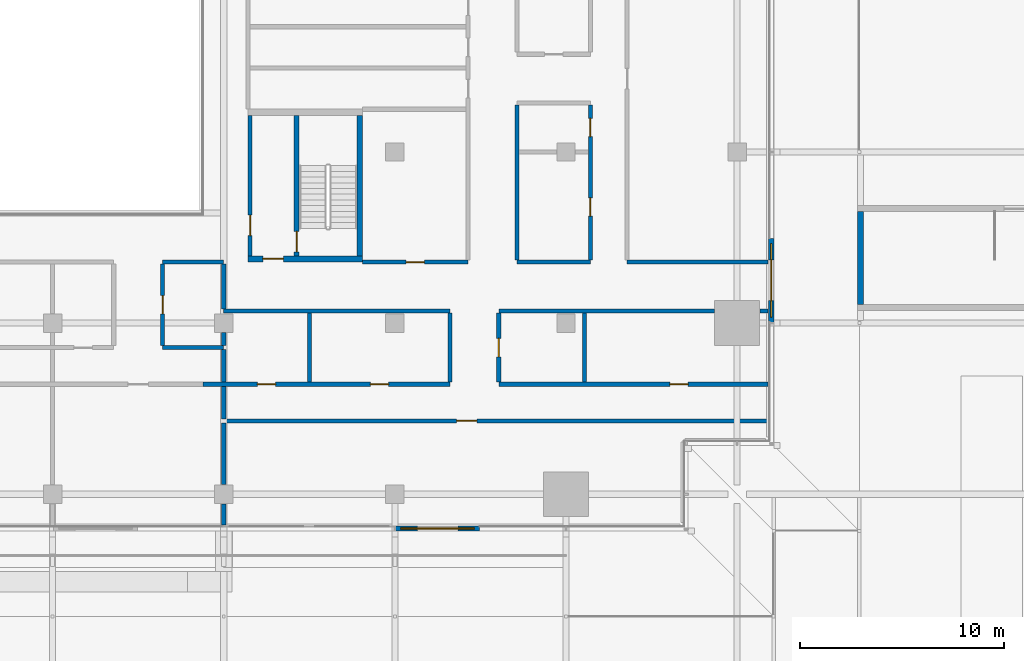
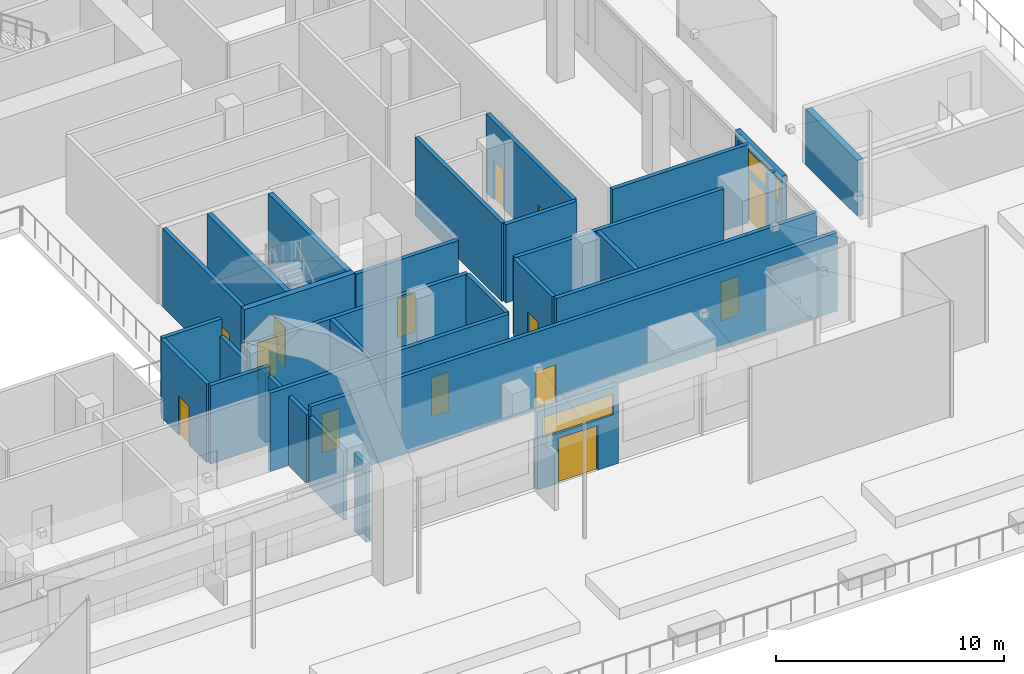
# One storey, part 26 of 60: 31 walls, 14 doors, 2 windows, 16 openings.
"""IFC4 building model written with IfcOpenShell, lengths in metres."""

from ifc_helpers import new_model, si_unit, direction, frame, frame_2d, origin, place, context, subcontext, project, spatial, rectangle, extrude, material, layer, layer_set, type_object, element, fill, save


model = new_model("IFC4")

# Units and contexts
model_context = context("Model", 3, precision=1e-05, world=origin(), true_north=direction((0.0, 1.0)))
body_context = subcontext(model_context, "Body", "Model", "MODEL_VIEW")
ifc_project = project(units=[si_unit("LENGTHUNIT", "METRE"), si_unit("AREAUNIT", "SQUARE_METRE"), si_unit("VOLUMEUNIT", "CUBIC_METRE"), si_unit("PLANEANGLEUNIT", "RADIAN"), si_unit("MASSUNIT", "GRAM", prefix="KILO")], contexts=[model_context])

# Site, building, storey
site_placement = place(None, origin())
site = spatial("IfcSite", under=ifc_project, at=site_placement, CompositionType="ELEMENT")
building_placement = place(site_placement, origin())
building = spatial("IfcBuilding", under=site, at=building_placement, Name="Saffron Gate Tower", CompositionType="ELEMENT")
storey_placement = place(building_placement, frame((0.0, 0.0, 19.199951171875)))
storey = spatial("IfcBuildingStorey", under=building, at=storey_placement, Name="L03", CompositionType="ELEMENT", Elevation=19.199951171875)

# Wall, opening, door
ifc_material_1 = material(Name="Gypsum board partition on steel studs", Category="steel")
ifc_layer_1 = layer(ifc_material_1, 0.199951171875)
ifc_layer_set_1 = layer_set([ifc_layer_1], Name="CW10 Core partition 200")
wall_type_1 = type_object("IfcWallType", Name="CW10 Core partition 200", PredefinedType="PARTITIONING", material=ifc_layer_set_1)
wall_1_placement = place(storey_placement, frame((101.5, 43.5, 0.0), z_axis=(0.0, 0.0, 1.0), x_axis=(0.0, 1.0, 0.0)))
wall_1 = element("IfcWall", 1, at=wall_1_placement, inside=storey, type_object=wall_type_1, Name="Wall CW10-L03-E-2", PredefinedType="PARTITIONING", context=body_context, shape_type="SweptSolid", body=[
    extrude(rectangle(XDim=6.89990234375, YDim=0.199951171875, at=frame_2d((3.449951171875, 0.0))), origin(), (0.0, 0.0, 1.0), 4.199951171875),
])
opening_1_placement = place(wall_1_placement, frame((1.0, 0.0, 0.0)))
opening_1 = element("IfcOpeningElement", 2, at=opening_1_placement, cuts=wall_1, Name="Opening CR-22", PredefinedType="OPENING", context=body_context, shape_type="SweptSolid", body=[
    extrude(rectangle(XDim=1.0, YDim=2.10009765625, at=frame_2d((0.5, 1.050048828125))), frame((0.0, 0.10986328125, 0.0), z_axis=(0.0, -1.0, 0.0), x_axis=(1.0, 0.0, 0.0)), (0.0, 0.0, 1.0), 0.219970703125),
])
ifc_material_2 = material(Name="Steel fire door set", Category="steel")
door_type_1 = type_object("IfcDoorType", Name="CD4 Lobby door 1000x2100 EI 120", OperationType="NOTDEFINED", PredefinedType="DOOR", material=ifc_material_2)
door_1_placement = place(opening_1_placement, origin())
door_1 = element("IfcDoor", 3, at=door_1_placement, inside=storey, type_object=door_type_1, Name="DOOR CR-22", OperationType="SINGLE_SWING_LEFT", OverallHeight=2.10009765625, OverallWidth=1.0, PredefinedType="DOOR", context=body_context, shape_type="SweptSolid", body=[
    extrude(rectangle(XDim=1.0, YDim=2.10009765625, at=frame_2d((0.5, 1.050048828125))), frame((0.0, 0.02490234375, 0.0), z_axis=(0.0, -1.0, 0.0), x_axis=(1.0, 0.0, 0.0)), (0.0, 0.0, 1.0), 0.050048828125),
])
fill(opening_1, door_1)

ifc_material_3 = material(Name="Concrete C70", Category="concrete")
ifc_layer_2 = layer(ifc_material_3, 0.25)
ifc_layer_set_2 = layer_set([ifc_layer_2], Name="CW2 RC core wall 250 C70")
wall_type_2 = type_object("IfcWallType", Name="CW2 RC core wall 250 C70", PredefinedType="SOLIDWALL", material=ifc_layer_set_2)
wall_2_placement = place(storey_placement, frame((103.77490234375, 43.5, 0.0), z_axis=(0.0, 0.0, 1.0), x_axis=(0.0, 1.0, 0.0)))
wall_2 = element("IfcWall", 4, at=wall_2_placement, inside=storey, type_object=wall_type_2, Name="Wall CW2-L03-E-3", PredefinedType="SOLIDWALL", context=body_context, shape_type="SweptSolid", body=[
    extrude(rectangle(XDim=6.89990234375, YDim=0.25, at=frame_2d((3.449951171875, 0.0))), origin(), (0.0, 0.0, 1.0), 4.199951171875),
])
opening_2_placement = place(wall_2_placement, frame((0.199951171875, 0.0, 0.0)))
opening_2 = element("IfcOpeningElement", 5, at=opening_2_placement, cuts=wall_2, Name="Opening CR-23", PredefinedType="OPENING", context=body_context, shape_type="SweptSolid", body=[
    extrude(rectangle(XDim=1.0, YDim=2.10009765625, at=frame_2d((0.5, 1.050048828125))), frame((0.0, 0.135009765625, 0.0), z_axis=(0.0, -1.0, 0.0), x_axis=(1.0, 0.0, 0.0)), (0.0, 0.0, 1.0), 0.27001953125),
])
door_type_2 = type_object("IfcDoorType", Name="CD5 Stair door 1000x2100 EI 120", OperationType="NOTDEFINED", PredefinedType="DOOR", material=ifc_material_2)
door_2_placement = place(opening_2_placement, origin())
door_2 = element("IfcDoor", 6, at=door_2_placement, inside=storey, type_object=door_type_2, Name="DOOR CR-23", OperationType="SINGLE_SWING_RIGHT", OverallHeight=2.10009765625, OverallWidth=1.0, PredefinedType="DOOR", context=body_context, shape_type="SweptSolid", body=[
    extrude(rectangle(XDim=1.0, YDim=2.10009765625, at=frame_2d((0.5, 1.050048828125))), frame((0.0, 0.02490234375, 0.0), z_axis=(0.0, -1.0, 0.0), x_axis=(1.0, 0.0, 0.0)), (0.0, 0.0, 1.0), 0.050048828125),
])
fill(opening_2, door_2)

# Wall
wall_3_placement = place(storey_placement, frame((106.875, 43.5, 0.0), z_axis=(0.0, 0.0, 1.0), x_axis=(0.0, 1.0, 0.0)))
element("IfcWall", 7, at=wall_3_placement, inside=storey, type_object=wall_type_2, Name="Wall CW2-L03-E-4", PredefinedType="SOLIDWALL", context=body_context, shape_type="SweptSolid", body=[
    extrude(rectangle(XDim=6.89990234375, YDim=0.25, at=frame_2d((3.449951171875, 0.0))), origin(), (0.0, 0.0, 1.0), 4.199951171875),
])

# Wall, opening, door
ifc_layer_3 = layer(ifc_material_3, 0.300048828125)
ifc_layer_set_3 = layer_set([ifc_layer_3], Name="CW5 RC core wall 300 C70")
wall_type_3 = type_object("IfcWallType", Name="CW5 RC core wall 300 C70", PredefinedType="SOLIDWALL", material=ifc_layer_set_3)
wall_4_placement = place(storey_placement, frame((101.39990234375, 43.35009765625, 0.0), z_axis=(0.0, 0.0, 1.0), x_axis=(1.0, 0.0, 0.0)))
wall_4 = element("IfcWall", 8, at=wall_4_placement, inside=storey, type_object=wall_type_3, Name="Wall CW5-L03-E-1", PredefinedType="SOLIDWALL", context=body_context, shape_type="SweptSolid", body=[
    extrude(rectangle(XDim=5.60009765625, YDim=0.300048828125, at=frame_2d((2.800048828125, 0.0))), origin(), (0.0, 0.0, 1.0), 4.199951171875),
])
opening_3_placement = place(wall_4_placement, frame((0.72509765625, 0.0, 0.0)))
opening_3 = element("IfcOpeningElement", 9, at=opening_3_placement, cuts=wall_4, Name="Opening CR-21", PredefinedType="OPENING", context=body_context, shape_type="SweptSolid", body=[
    extrude(rectangle(XDim=1.0, YDim=2.10009765625, at=frame_2d((0.5, 1.050048828125))), frame((0.0, 0.16015625, 0.0), z_axis=(0.0, -1.0, 0.0), x_axis=(1.0, 0.0, 0.0)), (0.0, 0.0, 1.0), 0.320068359375),
])
door_3_placement = place(opening_3_placement, origin())
door_3 = element("IfcDoor", 10, at=door_3_placement, inside=storey, type_object=door_type_1, Name="DOOR CR-21", OperationType="SINGLE_SWING_RIGHT", OverallHeight=2.10009765625, OverallWidth=1.0, PredefinedType="DOOR", context=body_context, shape_type="SweptSolid", body=[
    extrude(rectangle(XDim=1.0, YDim=2.10009765625, at=frame_2d((0.5, 1.050048828125))), frame((0.0, 0.02490234375, 0.0), z_axis=(0.0, -1.0, 0.0), x_axis=(1.0, 0.0, 0.0)), (0.0, 0.0, 1.0), 0.050048828125),
])
fill(opening_3, door_3)

# Wall
wall_5_placement = place(storey_placement, frame((131.449951171875, 41.125, 0.0), z_axis=(0.0, 0.0, 1.0), x_axis=(0.0, 1.0, 0.0)))
element("IfcWall", 11, at=wall_5_placement, inside=storey, type_object=wall_type_3, Name="Wall CW5-L03-K-2", PredefinedType="SOLIDWALL", context=body_context, shape_type="SweptSolid", body=[
    extrude(rectangle(XDim=4.550048828125, YDim=0.300048828125, at=frame_2d((2.27490234375, 0.0))), origin(), (0.0, 0.0, 1.0), 3.0),
])

# Wall, opening, door
ifc_material_4 = material(Name="Clay brick masonry, rendered", Category="masonry")
ifc_layer_4 = layer(ifc_material_4, 0.199951171875)
ifc_layer_set_4 = layer_set([ifc_layer_4], Name="PW3 Corridor wall 200")
wall_type_4 = type_object("IfcWallType", Name="PW3 Corridor wall 200", PredefinedType="PARTITIONING", material=ifc_layer_set_4)
wall_6_placement = place(storey_placement, frame((126.919921875, 35.39990234375, 0.0), z_axis=(0.0, 0.0, 1.0), x_axis=(-1.0, 0.0, 0.0)))
wall_6 = element("IfcWall", 12, at=wall_6_placement, inside=storey, type_object=wall_type_4, Name="Wall S1-2", PredefinedType="PARTITIONING", context=body_context, shape_type="SweptSolid", body=[
    extrude(rectangle(XDim=26.719970703125, YDim=0.199951171875, at=frame_2d((13.35986328125, 0.0))), origin(), (0.0, 0.0, 1.0), 4.199951171875),
])
opening_4_placement = place(wall_6_placement, frame((14.2890625, 0.0, 0.0)))
opening_4 = element("IfcOpeningElement", 13, at=opening_4_placement, cuts=wall_6, Name="Opening S1-36", PredefinedType="OPENING", context=body_context, shape_type="SweptSolid", body=[
    extrude(rectangle(XDim=1.0, YDim=2.10009765625, at=frame_2d((0.5, 1.050048828125))), frame((0.0, 0.10986328125, 0.0), z_axis=(0.0, -1.0, 0.0), x_axis=(1.0, 0.0, 0.0)), (0.0, 0.0, 1.0), 0.219970703125),
])
ifc_material_5 = material(Name="Timber door set", Category="wood")
door_type_3 = type_object("IfcDoorType", Name="HD1 Hall door 1200x2100", OperationType="NOTDEFINED", PredefinedType="DOOR", material=ifc_material_5)
door_4_placement = place(opening_4_placement, origin())
door_4 = element("IfcDoor", 14, at=door_4_placement, inside=storey, type_object=door_type_3, Name="Door S1-36", OperationType="SINGLE_SWING_RIGHT", OverallHeight=2.10009765625, OverallWidth=1.0, PredefinedType="DOOR", context=body_context, shape_type="SweptSolid", body=[
    extrude(rectangle(XDim=1.0, YDim=2.10009765625, at=frame_2d((0.5, 1.050048828125))), frame((0.0, 0.02490234375, 0.0), z_axis=(0.0, -1.0, 0.0), x_axis=(1.0, 0.0, 0.0)), (0.0, 0.0, 1.0), 0.050048828125),
])
fill(opening_4, door_4)

# Wall, openings, doors
wall_7_placement = place(storey_placement, frame((99.175048828125, 37.199951171875, 0.0), z_axis=(0.0, 0.0, 1.0), x_axis=(1.0, 0.0, 0.0)))
wall_7 = element("IfcWall", 15, at=wall_7_placement, inside=storey, type_object=wall_type_4, Name="Wall S1-6", PredefinedType="PARTITIONING", context=body_context, shape_type="SweptSolid", body=[
    extrude(rectangle(XDim=12.125, YDim=0.199951171875, at=frame_2d((6.0625, 0.0))), origin(), (0.0, 0.0, 1.0), 4.199951171875),
])
opening_5_placement = place(wall_7_placement, frame((2.675048828125, 0.0, 0.0)))
opening_5 = element("IfcOpeningElement", 16, at=opening_5_placement, cuts=wall_7, Name="Opening S1-15", PredefinedType="OPENING", context=body_context, shape_type="SweptSolid", body=[
    extrude(rectangle(XDim=0.89990234375, YDim=2.10009765625, at=frame_2d((0.449951171875, 1.050048828125))), frame((0.0, 0.10986328125, 0.0), z_axis=(0.0, -1.0, 0.0), x_axis=(1.0, 0.0, 0.0)), (0.0, 0.0, 1.0), 0.219970703125),
])
opening_6_placement = place(wall_7_placement, frame((8.22509765625, 0.0, 0.0)))
opening_6 = element("IfcOpeningElement", 17, at=opening_6_placement, cuts=wall_7, Name="Opening S1-16", PredefinedType="OPENING", context=body_context, shape_type="SweptSolid", body=[
    extrude(rectangle(XDim=0.89990234375, YDim=2.10009765625, at=frame_2d((0.449951171875, 1.050048828125))), frame((0.0, 0.10986328125, 0.0), z_axis=(0.0, -1.0, 0.0), x_axis=(1.0, 0.0, 0.0)), (0.0, 0.0, 1.0), 0.219970703125),
])
door_type_4 = type_object("IfcDoorType", Name="RD1 Room door 900x2100", OperationType="NOTDEFINED", PredefinedType="DOOR", material=ifc_material_5)
door_5_placement = place(opening_5_placement, origin())
door_5 = element("IfcDoor", 18, at=door_5_placement, inside=storey, type_object=door_type_4, Name="Door S1-15", OperationType="SINGLE_SWING_LEFT", OverallHeight=2.10009765625, OverallWidth=0.89990234375, PredefinedType="DOOR", context=body_context, shape_type="SweptSolid", body=[
    extrude(rectangle(XDim=0.89990234375, YDim=2.10009765625, at=frame_2d((0.449951171875, 1.050048828125))), frame((0.0, 0.02490234375, 0.0), z_axis=(0.0, -1.0, 0.0), x_axis=(1.0, 0.0, 0.0)), (0.0, 0.0, 1.0), 0.050048828125),
])
fill(opening_5, door_5)
door_6_placement = place(opening_6_placement, origin())
door_6 = element("IfcDoor", 19, at=door_6_placement, inside=storey, type_object=door_type_4, Name="Door S1-16", OperationType="SINGLE_SWING_RIGHT", OverallHeight=2.10009765625, OverallWidth=0.89990234375, PredefinedType="DOOR", context=body_context, shape_type="SweptSolid", body=[
    extrude(rectangle(XDim=0.89990234375, YDim=2.10009765625, at=frame_2d((0.449951171875, 1.050048828125))), frame((0.0, 0.02490234375, 0.0), z_axis=(0.0, -1.0, 0.0), x_axis=(1.0, 0.0, 0.0)), (0.0, 0.0, 1.0), 0.050048828125),
])
fill(opening_6, door_6)

# Wall, opening, door
wall_8_placement = place(storey_placement, frame((113.699951171875, 37.199951171875, 0.0), z_axis=(0.0, 0.0, 1.0), x_axis=(1.0, 0.0, 0.0)))
wall_8 = element("IfcWall", 20, at=wall_8_placement, inside=storey, type_object=wall_type_4, Name="Wall S1-7", PredefinedType="PARTITIONING", context=body_context, shape_type="SweptSolid", body=[
    extrude(rectangle(XDim=13.219970703125, YDim=0.199951171875, at=frame_2d((6.60986328125, 0.0))), origin(), (0.0, 0.0, 1.0), 4.199951171875),
])
opening_7_placement = place(wall_8_placement, frame((8.39990234375, 0.0, 0.0)))
opening_7 = element("IfcOpeningElement", 21, at=opening_7_placement, cuts=wall_8, Name="Opening S1-18", PredefinedType="OPENING", context=body_context, shape_type="SweptSolid", body=[
    extrude(rectangle(XDim=0.89990234375, YDim=2.10009765625, at=frame_2d((0.449951171875, 1.050048828125))), frame((0.0, 0.10986328125, 0.0), z_axis=(0.0, -1.0, 0.0), x_axis=(1.0, 0.0, 0.0)), (0.0, 0.0, 1.0), 0.219970703125),
])
door_7_placement = place(opening_7_placement, origin())
door_7 = element("IfcDoor", 22, at=door_7_placement, inside=storey, type_object=door_type_4, Name="Door S1-18", OperationType="SINGLE_SWING_RIGHT", OverallHeight=2.10009765625, OverallWidth=0.89990234375, PredefinedType="DOOR", context=body_context, shape_type="SweptSolid", body=[
    extrude(rectangle(XDim=0.89990234375, YDim=2.10009765625, at=frame_2d((0.449951171875, 1.050048828125))), frame((0.0, 0.02490234375, 0.0), z_axis=(0.0, -1.0, 0.0), x_axis=(1.0, 0.0, 0.0)), (0.0, 0.0, 1.0), 0.050048828125),
])
fill(opening_7, door_7)

# Walls
wall_9_placement = place(storey_placement, frame((97.199951171875, 39.0, 0.0), z_axis=(0.0, 0.0, 1.0), x_axis=(1.0, 0.0, 0.0)))
element("IfcWall", 23, at=wall_9_placement, inside=storey, type_object=wall_type_4, Name="Wall S1-10", PredefinedType="PARTITIONING", context=body_context, shape_type="SweptSolid", body=[
    extrude(rectangle(XDim=3.0, YDim=0.199951171875, at=frame_2d((1.5, 0.0))), origin(), (0.0, 0.0, 1.0), 4.199951171875),
])
wall_10_placement = place(storey_placement, frame((100.199951171875, 40.800048828125, 0.0), z_axis=(0.0, 0.0, 1.0), x_axis=(1.0, 0.0, 0.0)))
element("IfcWall", 24, at=wall_10_placement, inside=storey, type_object=wall_type_4, Name="Wall S1-14", PredefinedType="PARTITIONING", context=body_context, shape_type="SweptSolid", body=[
    extrude(rectangle(XDim=11.10009765625, YDim=0.199951171875, at=frame_2d((5.550048828125, 0.0))), origin(), (0.0, 0.0, 1.0), 4.199951171875),
])
wall_11_placement = place(storey_placement, frame((113.699951171875, 40.800048828125, 0.0), z_axis=(0.0, 0.0, 1.0), x_axis=(1.0, 0.0, 0.0)))
element("IfcWall", 25, at=wall_11_placement, inside=storey, type_object=wall_type_4, Name="Wall S1-15", PredefinedType="PARTITIONING", context=body_context, shape_type="SweptSolid", body=[
    extrude(rectangle(XDim=10.580078125, YDim=0.199951171875, at=frame_2d((5.2900390625, 0.0))), origin(), (0.0, 0.0, 1.0), 4.199951171875),
])
wall_12_placement = place(storey_placement, frame((126.52001953125, 40.800048828125, 0.0), z_axis=(0.0, 0.0, 1.0), x_axis=(1.0, 0.0, 0.0)))
element("IfcWall", 26, at=wall_12_placement, inside=storey, type_object=wall_type_4, Name="Wall S1-16", PredefinedType="PARTITIONING", context=body_context, shape_type="SweptSolid", body=[
    extrude(rectangle(XDim=0.39990234375, YDim=0.199951171875, at=frame_2d((0.199951171875, 0.0))), origin(), (0.0, 0.0, 1.0), 4.199951171875),
])
wall_13_placement = place(storey_placement, frame((97.199951171875, 43.199951171875, 0.0), z_axis=(0.0, 0.0, 1.0), x_axis=(1.0, 0.0, 0.0)))
element("IfcWall", 27, at=wall_13_placement, inside=storey, type_object=wall_type_4, Name="Wall S1-22", PredefinedType="PARTITIONING", context=body_context, shape_type="SweptSolid", body=[
    extrude(rectangle(XDim=3.0, YDim=0.199951171875, at=frame_2d((1.5, 0.0))), origin(), (0.0, 0.0, 1.0), 4.199951171875),
])

# Wall, opening, door
wall_14_placement = place(storey_placement, frame((107.0, 43.199951171875, 0.0), z_axis=(0.0, 0.0, 1.0), x_axis=(1.0, 0.0, 0.0)))
wall_14 = element("IfcWall", 28, at=wall_14_placement, inside=storey, type_object=wall_type_4, Name="Wall S1-23", PredefinedType="PARTITIONING", context=body_context, shape_type="SweptSolid", body=[
    extrude(rectangle(XDim=5.199951171875, YDim=0.199951171875, at=frame_2d((2.60009765625, 0.0))), origin(), (0.0, 0.0, 1.0), 4.199951171875),
])
opening_8_placement = place(wall_14_placement, frame((2.14990234375, 0.0, 0.0)))
opening_8 = element("IfcOpeningElement", 29, at=opening_8_placement, cuts=wall_14, Name="Opening S1-30", PredefinedType="OPENING", context=body_context, shape_type="SweptSolid", body=[
    extrude(rectangle(XDim=0.89990234375, YDim=2.10009765625, at=frame_2d((0.449951171875, 1.050048828125))), frame((0.0, 0.10986328125, 0.0), z_axis=(0.0, -1.0, 0.0), x_axis=(1.0, 0.0, 0.0)), (0.0, 0.0, 1.0), 0.219970703125),
])
door_type_5 = type_object("IfcDoorType", Name="SD1 Service door 900x2100", OperationType="NOTDEFINED", PredefinedType="DOOR", material=ifc_material_2)
door_8_placement = place(opening_8_placement, origin())
door_8 = element("IfcDoor", 30, at=door_8_placement, inside=storey, type_object=door_type_5, Name="Door S1-30", OperationType="SINGLE_SWING_LEFT", OverallHeight=2.10009765625, OverallWidth=0.89990234375, PredefinedType="DOOR", context=body_context, shape_type="SweptSolid", body=[
    extrude(rectangle(XDim=0.89990234375, YDim=2.10009765625, at=frame_2d((0.449951171875, 1.050048828125))), frame((0.0, 0.02490234375, 0.0), z_axis=(0.0, -1.0, 0.0), x_axis=(1.0, 0.0, 0.0)), (0.0, 0.0, 1.0), 0.050048828125),
])
fill(opening_8, door_8)

# Walls
wall_15_placement = place(storey_placement, frame((114.60009765625, 43.199951171875, 0.0), z_axis=(0.0, 0.0, 1.0), x_axis=(1.0, 0.0, 0.0)))
element("IfcWall", 31, at=wall_15_placement, inside=storey, type_object=wall_type_4, Name="Wall S1-24", PredefinedType="PARTITIONING", context=body_context, shape_type="SweptSolid", body=[
    extrude(rectangle(XDim=3.599853515625, YDim=0.199951171875, at=frame_2d((1.7998046875, 0.0))), origin(), (0.0, 0.0, 1.0), 4.199951171875),
])
wall_16_placement = place(storey_placement, frame((120.0, 43.199951171875, 0.0), z_axis=(0.0, 0.0, 1.0), x_axis=(1.0, 0.0, 0.0)))
element("IfcWall", 32, at=wall_16_placement, inside=storey, type_object=wall_type_4, Name="Wall S1-25", PredefinedType="PARTITIONING", context=body_context, shape_type="SweptSolid", body=[
    extrude(rectangle(XDim=6.919921875, YDim=0.199951171875, at=frame_2d((3.4599609375, 0.0))), origin(), (0.0, 0.0, 1.0), 4.199951171875),
])

# Wall, opening, door
wall_17_placement = place(storey_placement, frame((97.199951171875, 43.10009765625, 0.0), z_axis=(0.0, 0.0, 1.0), x_axis=(0.0, -1.0, 0.0)))
wall_17 = element("IfcWall", 33, at=wall_17_placement, inside=storey, type_object=wall_type_4, Name="Wall S1-86", PredefinedType="PARTITIONING", context=body_context, shape_type="SweptSolid", body=[
    extrude(rectangle(XDim=4.0, YDim=0.199951171875, at=frame_2d((2.0, 0.0))), origin(), (0.0, 0.0, 1.0), 4.199951171875),
])
opening_9_placement = place(wall_17_placement, frame((1.550048828125, 0.0, 0.0)))
opening_9 = element("IfcOpeningElement", 34, at=opening_9_placement, cuts=wall_17, Name="Opening S1-14", PredefinedType="OPENING", context=body_context, shape_type="SweptSolid", body=[
    extrude(rectangle(XDim=0.89990234375, YDim=2.10009765625, at=frame_2d((0.449951171875, 1.050048828125))), frame((0.0, 0.10986328125, 0.0), z_axis=(0.0, -1.0, 0.0), x_axis=(1.0, 0.0, 0.0)), (0.0, 0.0, 1.0), 0.219970703125),
])
door_9_placement = place(opening_9_placement, origin())
door_9 = element("IfcDoor", 35, at=door_9_placement, inside=storey, type_object=door_type_4, Name="Door S1-14", OperationType="SINGLE_SWING_LEFT", OverallHeight=2.10009765625, OverallWidth=0.89990234375, PredefinedType="DOOR", context=body_context, shape_type="SweptSolid", body=[
    extrude(rectangle(XDim=0.89990234375, YDim=2.10009765625, at=frame_2d((0.449951171875, 1.050048828125))), frame((0.0, 0.02490234375, 0.0), z_axis=(0.0, -1.0, 0.0), x_axis=(1.0, 0.0, 0.0)), (0.0, 0.0, 1.0), 0.050048828125),
])
fill(opening_9, door_9)

# Walls
wall_18_placement = place(storey_placement, frame((100.199951171875, 43.10009765625, 0.0), z_axis=(0.0, 0.0, 1.0), x_axis=(0.0, -1.0, 0.0)))
element("IfcWall", 36, at=wall_18_placement, inside=storey, type_object=wall_type_4, Name="Wall S1-87", PredefinedType="PARTITIONING", context=body_context, shape_type="SweptSolid", body=[
    extrude(rectangle(XDim=2.2001953125, YDim=0.199951171875, at=frame_2d((1.10009765625, 0.0))), origin(), (0.0, 0.0, 1.0), 3.300048828125),
])
wall_19_placement = place(storey_placement, frame((111.300048828125, 40.699951171875, 0.0), z_axis=(0.0, 0.0, 1.0), x_axis=(0.0, -1.0, 0.0)))
element("IfcWall", 37, at=wall_19_placement, inside=storey, type_object=wall_type_4, Name="Wall S1-95", PredefinedType="PARTITIONING", context=body_context, shape_type="SweptSolid", body=[
    extrude(rectangle(XDim=3.39990234375, YDim=0.199951171875, at=frame_2d((1.699951171875, 0.0))), origin(), (0.0, 0.0, 1.0), 4.199951171875),
])

# Wall, opening, door
wall_20_placement = place(storey_placement, frame((113.699951171875, 40.699951171875, 0.0), z_axis=(0.0, 0.0, 1.0), x_axis=(0.0, -1.0, 0.0)))
wall_20 = element("IfcWall", 38, at=wall_20_placement, inside=storey, type_object=wall_type_4, Name="Wall S1-97", PredefinedType="PARTITIONING", context=body_context, shape_type="SweptSolid", body=[
    extrude(rectangle(XDim=3.39990234375, YDim=0.199951171875, at=frame_2d((1.699951171875, 0.0))), origin(), (0.0, 0.0, 1.0), 4.199951171875),
])
opening_10_placement = place(wall_20_placement, frame((1.25, 0.0, 0.0)))
opening_10 = element("IfcOpeningElement", 39, at=opening_10_placement, cuts=wall_20, Name="Opening S1-17", PredefinedType="OPENING", context=body_context, shape_type="SweptSolid", body=[
    extrude(rectangle(XDim=0.89990234375, YDim=2.10009765625, at=frame_2d((0.449951171875, 1.050048828125))), frame((0.0, 0.10986328125, 0.0), z_axis=(0.0, -1.0, 0.0), x_axis=(1.0, 0.0, 0.0)), (0.0, 0.0, 1.0), 0.219970703125),
])
door_10_placement = place(opening_10_placement, origin())
door_10 = element("IfcDoor", 40, at=door_10_placement, inside=storey, type_object=door_type_4, Name="Door S1-17", OperationType="SINGLE_SWING_LEFT", OverallHeight=2.10009765625, OverallWidth=0.89990234375, PredefinedType="DOOR", context=body_context, shape_type="SweptSolid", body=[
    extrude(rectangle(XDim=0.89990234375, YDim=2.10009765625, at=frame_2d((0.449951171875, 1.050048828125))), frame((0.0, 0.02490234375, 0.0), z_axis=(0.0, -1.0, 0.0), x_axis=(1.0, 0.0, 0.0)), (0.0, 0.0, 1.0), 0.050048828125),
])
fill(opening_10, door_10)

# Wall
wall_21_placement = place(storey_placement, frame((114.60009765625, 50.89990234375, 0.0), z_axis=(0.0, 0.0, 1.0), x_axis=(0.0, -1.0, 0.0)))
element("IfcWall", 41, at=wall_21_placement, inside=storey, type_object=wall_type_4, Name="Wall S1-98", PredefinedType="PARTITIONING", context=body_context, shape_type="SweptSolid", body=[
    extrude(rectangle(XDim=7.599853515625, YDim=0.199951171875, at=frame_2d((3.7998046875, 0.0))), origin(), (0.0, 0.0, 1.0), 4.199951171875),
])

# Wall, openings, doors
wall_22_placement = place(storey_placement, frame((118.199951171875, 43.300048828125, 0.0), z_axis=(0.0, 0.0, 1.0), x_axis=(0.0, 1.0, 0.0)))
wall_22 = element("IfcWall", 42, at=wall_22_placement, inside=storey, type_object=wall_type_4, Name="Wall S1-101", PredefinedType="PARTITIONING", context=body_context, shape_type="SweptSolid", body=[
    extrude(rectangle(XDim=7.599853515625, YDim=0.199951171875, at=frame_2d((3.7998046875, 0.0))), origin(), (0.0, 0.0, 1.0), 4.199951171875),
])
opening_11_placement = place(wall_22_placement, frame((2.14990234375, 0.0, 0.0)))
opening_11 = element("IfcOpeningElement", 43, at=opening_11_placement, cuts=wall_22, Name="Opening S1-24", PredefinedType="OPENING", context=body_context, shape_type="SweptSolid", body=[
    extrude(rectangle(XDim=0.89990234375, YDim=2.10009765625, at=frame_2d((0.449951171875, 1.050048828125))), frame((0.0, 0.10986328125, 0.0), z_axis=(0.0, -1.0, 0.0), x_axis=(1.0, 0.0, 0.0)), (0.0, 0.0, 1.0), 0.219970703125),
])
opening_12_placement = place(wall_22_placement, frame((6.050048828125, 0.0, 0.0)))
opening_12 = element("IfcOpeningElement", 44, at=opening_12_placement, cuts=wall_22, Name="Opening S1-25", PredefinedType="OPENING", context=body_context, shape_type="SweptSolid", body=[
    extrude(rectangle(XDim=0.89990234375, YDim=2.10009765625, at=frame_2d((0.449951171875, 1.050048828125))), frame((0.0, 0.10986328125, 0.0), z_axis=(0.0, -1.0, 0.0), x_axis=(1.0, 0.0, 0.0)), (0.0, 0.0, 1.0), 0.219970703125),
])
door_11_placement = place(opening_11_placement, origin())
door_11 = element("IfcDoor", 45, at=door_11_placement, inside=storey, type_object=door_type_4, Name="Door S1-24", OperationType="SINGLE_SWING_LEFT", OverallHeight=2.10009765625, OverallWidth=0.89990234375, PredefinedType="DOOR", context=body_context, shape_type="SweptSolid", body=[
    extrude(rectangle(XDim=0.89990234375, YDim=2.10009765625, at=frame_2d((0.449951171875, 1.050048828125))), frame((0.0, 0.02490234375, 0.0), z_axis=(0.0, -1.0, 0.0), x_axis=(1.0, 0.0, 0.0)), (0.0, 0.0, 1.0), 0.050048828125),
])
fill(opening_11, door_11)
door_12_placement = place(opening_12_placement, origin())
door_12 = element("IfcDoor", 46, at=door_12_placement, inside=storey, type_object=door_type_4, Name="Door S1-25", OperationType="SINGLE_SWING_RIGHT", OverallHeight=2.10009765625, OverallWidth=0.89990234375, PredefinedType="DOOR", context=body_context, shape_type="SweptSolid", body=[
    extrude(rectangle(XDim=0.89990234375, YDim=2.10009765625, at=frame_2d((0.449951171875, 1.050048828125))), frame((0.0, 0.02490234375, 0.0), z_axis=(0.0, -1.0, 0.0), x_axis=(1.0, 0.0, 0.0)), (0.0, 0.0, 1.0), 0.050048828125),
])
fill(opening_12, door_12)

# Walls
wall_23_placement = place(storey_placement, frame((100.199951171875, 37.10009765625, 0.0), z_axis=(0.0, 0.0, 1.0), x_axis=(0.0, -1.0, 0.0)))
element("IfcWall", 47, at=wall_23_placement, inside=storey, type_object=wall_type_4, Name="Wall S1-107", PredefinedType="PARTITIONING", context=body_context, shape_type="SweptSolid", body=[
    extrude(rectangle(XDim=1.60009765625, YDim=0.199951171875, at=frame_2d((0.800048828125, 0.0))), origin(), (0.0, 0.0, 1.0), 3.699951171875),
])
wall_24_placement = place(storey_placement, frame((100.199951171875, 38.89990234375, 0.0), z_axis=(0.0, 0.0, 1.0), x_axis=(0.0, -1.0, 0.0)))
element("IfcWall", 48, at=wall_24_placement, inside=storey, type_object=wall_type_4, Name="Wall S1-108", PredefinedType="PARTITIONING", context=body_context, shape_type="SweptSolid", body=[
    extrude(rectangle(XDim=1.599853515625, YDim=0.199951171875, at=frame_2d((0.7998046875, 0.0))), origin(), (0.0, 0.0, 1.0), 3.699951171875),
])
ifc_layer_5 = layer(ifc_material_4, 0.199951171875)
ifc_layer_set_5 = layer_set([ifc_layer_5], Name="PW5 Room wall 200")
wall_type_5 = type_object("IfcWallType", Name="PW5 Room wall 200", PredefinedType="PARTITIONING", material=ifc_layer_set_5)
wall_25_placement = place(storey_placement, frame((100.199951171875, 31.330078125, 0.0), z_axis=(0.0, 0.0, 1.0), x_axis=(0.0, -1.0, 0.0)))
element("IfcWall", 49, at=wall_25_placement, inside=storey, type_object=wall_type_5, Name="Wall S1-88", PredefinedType="PARTITIONING", context=body_context, shape_type="SweptSolid", body=[
    extrude(rectangle(XDim=1.050048828125, YDim=0.199951171875, at=frame_2d((0.52490234375, 0.0))), origin(), (0.0, 0.0, 1.0), 4.199951171875),
])
wall_26_placement = place(storey_placement, frame((100.199951171875, 35.300048828125, 0.0), z_axis=(0.0, 0.0, 1.0), x_axis=(0.0, -1.0, 0.0)))
element("IfcWall", 50, at=wall_26_placement, inside=storey, type_object=wall_type_5, Name="Wall S1-89", PredefinedType="PARTITIONING", context=body_context, shape_type="SweptSolid", body=[
    extrude(rectangle(XDim=3.030029296875, YDim=0.199951171875, at=frame_2d((1.51513671875, 0.0))), origin(), (0.0, 0.0, 1.0), 3.699951171875),
])
wall_27_placement = place(storey_placement, frame((100.199951171875, 39.72998046875, 0.0), z_axis=(0.0, 0.0, 1.0), x_axis=(0.0, -1.0, 0.0)))
element("IfcWall", 51, at=wall_27_placement, inside=storey, type_object=wall_type_5, Name="Wall S1-90", PredefinedType="PARTITIONING", context=body_context, shape_type="SweptSolid", body=[
    extrude(rectangle(XDim=0.6298828125, YDim=0.199951171875, at=frame_2d((0.31494140625, 0.0))), origin(), (0.0, 0.0, 1.0), 3.699951171875),
])
for number, where, z_axis, x_axis, name in (
    (52, (104.39990234375, 40.699951171875, 0.0), (0.0, 0.0, 1.0), (0.0, -1.0, 0.0), "Wall S1-92"),
    (53, (117.89990234375, 40.699951171875, 0.0), (0.0, 0.0, 1.0), (0.0, -1.0, 0.0), "Wall S1-100"),
):
    element("IfcWall", number, at=place(storey_placement, frame(where, z_axis=z_axis, x_axis=x_axis)), inside=storey, type_object=wall_type_5, Name=name, PredefinedType="PARTITIONING", context=body_context, shape_type="SweptSolid", body=[
        extrude(rectangle(XDim=3.39990234375, YDim=0.199951171875, at=frame_2d((1.699951171875, 0.0))), origin(), (0.0, 0.0, 1.0), 4.199951171875),
    ])

# Wall, openings, door, window
ifc_material_6 = material(Name="Reinforced concrete C40/50 clad in bronze panels", Category="concrete")
ifc_layer_6 = layer(ifc_material_6, 0.25)
ifc_layer_set_6 = layer_set([ifc_layer_6], Name="WBAY2 deck door bay wall")
wall_type_6 = type_object("IfcWallType", Name="WBAY2 deck door bay wall", PredefinedType="SOLIDWALL", material=ifc_layer_set_6)
wall_28_placement = place(storey_placement, frame((112.760009765625, 30.125, 0.0), z_axis=(0.0, 0.0, 1.0), x_axis=(-1.0, 0.0, 0.0)))
wall_28 = element("IfcWall", 54, at=wall_28_placement, inside=storey, type_object=wall_type_6, Name="ENTRANCE BAY wall", PredefinedType="SOLIDWALL", context=body_context, shape_type="SweptSolid", body=[
    extrude(rectangle(XDim=4.1201171875, YDim=0.25, at=frame_2d((2.06005859375, 0.0))), origin(), (0.0, 0.0, 1.0), 4.199951171875),
])
opening_13_placement = place(wall_28_placement, frame((1.06005859375, 0.0, 0.0)))
opening_13 = element("IfcOpeningElement", 55, at=opening_13_placement, cuts=wall_28, Name="Opening D03", PredefinedType="OPENING", context=body_context, shape_type="SweptSolid", body=[
    extrude(rectangle(XDim=2.0, YDim=2.39990234375, at=frame_2d((1.0, 1.199951171875))), frame((0.0, 0.135009765625, 0.0), z_axis=(0.0, -1.0, 0.0), x_axis=(1.0, 0.0, 0.0)), (0.0, 0.0, 1.0), 0.27001953125),
])
opening_14_placement = place(wall_28_placement, frame((0.260009765625, 0.0, 2.699951171875)))
opening_14 = element("IfcOpeningElement", 56, at=opening_14_placement, cuts=wall_28, Name="Opening W10", PredefinedType="OPENING", context=body_context, shape_type="SweptSolid", body=[
    extrude(rectangle(XDim=3.60009765625, YDim=1.10009765625, at=frame_2d((1.800048828125, 0.550048828125))), frame((0.0, 0.135009765625, 0.0), z_axis=(0.0, -1.0, 0.0), x_axis=(1.0, 0.0, 0.0)), (0.0, 0.0, 1.0), 0.27001953125),
])
ifc_material_7 = material(Name="Bronze-framed toughened glass", Category="glass")
ifc_layer_7 = layer(ifc_material_7, 0.050048828125)
ifc_layer_set_7 = layer_set([ifc_layer_7], Name="D1 external double door 2000x2400")
door_type_6 = type_object("IfcDoorType", Name="D1 external double door 2000x2400", OperationType="DOUBLE_DOOR_SINGLE_SWING", PredefinedType="DOOR", material=ifc_layer_set_7)
door_13_placement = place(opening_13_placement, origin())
door_13 = element("IfcDoor", 57, at=door_13_placement, inside=storey, type_object=door_type_6, Name="DOOR D03", OperationType="DOUBLE_DOOR_SINGLE_SWING", OverallHeight=2.39990234375, OverallWidth=2.0, PredefinedType="DOOR", context=body_context, shape_type="SweptSolid", body=[
    extrude(rectangle(XDim=2.0, YDim=2.39990234375, at=frame_2d((1.0, 1.199951171875))), frame((0.0, 0.02490234375, 0.0), z_axis=(0.0, -1.0, 0.0), x_axis=(1.0, 0.0, 0.0)), (0.0, 0.0, 1.0), 0.050048828125),
])
fill(opening_13, door_13)
ifc_material_8 = material(Name="Clear low-iron laminated glass in bronze frame", Category="glass")
ifc_layer_8 = layer(ifc_material_8, 0.06005859375)
ifc_layer_set_8 = layer_set([ifc_layer_8], Name="W10 school entrance light")
window_type = type_object("IfcWindowType", Name="W10 school entrance light", PartitioningType="SINGLE_PANEL", PredefinedType="WINDOW", material=ifc_layer_set_8)
window_1_placement = place(opening_14_placement, origin())
window_1 = element("IfcWindow", 58, at=window_1_placement, inside=storey, type_object=window_type, Name="W10 entrance light", OverallHeight=1.10009765625, OverallWidth=3.60009765625, PartitioningType="SINGLE_PANEL", PredefinedType="WINDOW", context=body_context, shape_type="SweptSolid", body=[
    extrude(rectangle(XDim=3.60009765625, YDim=1.10009765625, at=frame_2d((1.800048828125, 0.550048828125))), frame((0.0, 0.030029296875, 0.0), z_axis=(0.0, -1.0, 0.0), x_axis=(1.0, 0.0, 0.0)), (0.0, 0.0, 1.0), 0.06005859375),
])
fill(opening_14, window_1)

wall_29_placement = place(storey_placement, frame((127.074951171875, 44.360107421875, 0.0), z_axis=(0.0, 0.0, 1.0), x_axis=(0.0, -1.0, 0.0)))
wall_29 = element("IfcWall", 59, at=wall_29_placement, inside=storey, type_object=wall_type_6, Name="ENTRANCE BAY wall", PredefinedType="SOLIDWALL", context=body_context, shape_type="SweptSolid", body=[
    extrude(rectangle(XDim=4.1201171875, YDim=0.25, at=frame_2d((2.06005859375, 0.0))), origin(), (0.0, 0.0, 1.0), 4.199951171875),
])
opening_15_placement = place(wall_29_placement, frame((1.06005859375, 0.0, 0.0)))
opening_15 = element("IfcOpeningElement", 60, at=opening_15_placement, cuts=wall_29, Name="Opening D04", PredefinedType="OPENING", context=body_context, shape_type="SweptSolid", body=[
    extrude(rectangle(XDim=2.0, YDim=2.39990234375, at=frame_2d((1.0, 1.199951171875))), frame((0.0, 0.135009765625, 0.0), z_axis=(0.0, -1.0, 0.0), x_axis=(1.0, 0.0, 0.0)), (0.0, 0.0, 1.0), 0.27001953125),
])
opening_16_placement = place(wall_29_placement, frame((0.260009765625, 0.0, 2.699951171875)))
opening_16 = element("IfcOpeningElement", 61, at=opening_16_placement, cuts=wall_29, Name="Opening W10", PredefinedType="OPENING", context=body_context, shape_type="SweptSolid", body=[
    extrude(rectangle(XDim=3.60009765625, YDim=1.10009765625, at=frame_2d((1.800048828125, 0.550048828125))), frame((0.0, 0.135009765625, 0.0), z_axis=(0.0, -1.0, 0.0), x_axis=(1.0, 0.0, 0.0)), (0.0, 0.0, 1.0), 0.27001953125),
])
door_14_placement = place(opening_15_placement, origin())
door_14 = element("IfcDoor", 62, at=door_14_placement, inside=storey, type_object=door_type_6, Name="DOOR D04", OperationType="DOUBLE_DOOR_SINGLE_SWING", OverallHeight=2.39990234375, OverallWidth=2.0, PredefinedType="DOOR", context=body_context, shape_type="SweptSolid", body=[
    extrude(rectangle(XDim=2.0, YDim=2.39990234375, at=frame_2d((1.0, 1.199951171875))), frame((0.0, 0.02490234375, 0.0), z_axis=(0.0, -1.0, 0.0), x_axis=(1.0, 0.0, 0.0)), (0.0, 0.0, 1.0), 0.050048828125),
])
fill(opening_15, door_14)
window_2_placement = place(opening_16_placement, origin())
window_2 = element("IfcWindow", 63, at=window_2_placement, inside=storey, type_object=window_type, Name="W10 entrance light", OverallHeight=1.10009765625, OverallWidth=3.60009765625, PartitioningType="SINGLE_PANEL", PredefinedType="WINDOW", context=body_context, shape_type="SweptSolid", body=[
    extrude(rectangle(XDim=3.60009765625, YDim=1.10009765625, at=frame_2d((1.800048828125, 0.550048828125))), frame((0.0, 0.030029296875, 0.0), z_axis=(0.0, -1.0, 0.0), x_axis=(1.0, 0.0, 0.0)), (0.0, 0.0, 1.0), 0.06005859375),
])
fill(opening_16, window_2)

save(model, "model.ifc")
